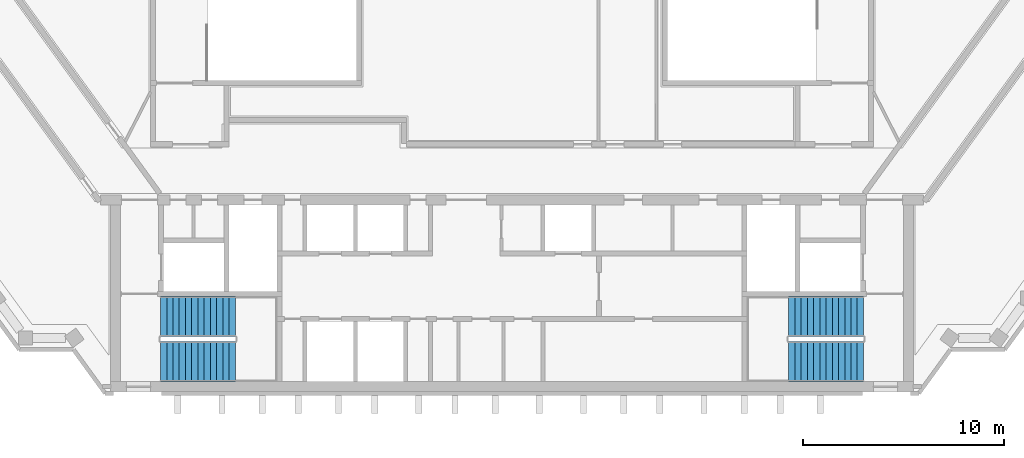
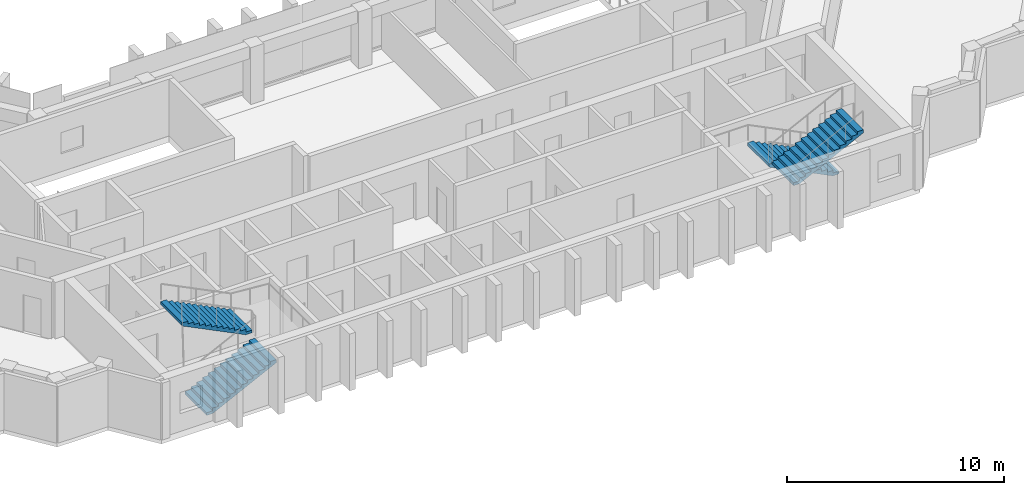
# One storey, part 7 of 8: 4 stair flights, 2 elements without a shape of their own.
"""IFC4 building model written with IfcOpenShell, lengths in metres."""

from ifc_helpers import new_model, si_unit, direction, frame, origin, place, context, subcontext, project, spatial, polyline, outline, extrude, material, type_object, element, aggregate, save


model = new_model("IFC4")

# Units and contexts
model_context = context("Model", 3, precision=1e-05, world=origin(), true_north=direction((0.0, 1.0)))
body_context = subcontext(model_context, "Body", "Model", "MODEL_VIEW")
ifc_project = project(units=[si_unit("LENGTHUNIT", "METRE"), si_unit("AREAUNIT", "SQUARE_METRE"), si_unit("VOLUMEUNIT", "CUBIC_METRE"), si_unit("PLANEANGLEUNIT", "RADIAN"), si_unit("MASSUNIT", "GRAM", prefix="KILO")], contexts=[model_context])

# Site, building, storey
site_placement = place(None, origin())
site = spatial("IfcSite", under=ifc_project, at=site_placement, CompositionType="ELEMENT")
building_placement = place(site_placement, origin())
building = spatial("IfcBuilding", under=site, at=building_placement, Name="Quipu Civic Tower", CompositionType="ELEMENT")
storey_placement = place(building_placement, frame((0.0, 0.0, 351.0)))
storey = spatial("IfcBuildingStorey", under=building, at=storey_placement, Name="L82", CompositionType="ELEMENT", Elevation=351.0)

# Stair, stair flights
ifc_material_1 = material(Name="Concrete C40/50", Category="concrete")
stair_type = type_object("IfcStairType", Name="Half turn stair 2000", PredefinedType="HALF_TURN_STAIR", material=ifc_material_1)
stair_1_placement = place(storey_placement, origin())
stair_1 = element("IfcStair", 1, at=stair_1_placement, inside=storey, type_object=stair_type, Name="Exit stair 1", PredefinedType="HALF_TURN_STAIR")
ifc_material_2 = material(Name="Concrete C40/50", Category="concrete")
stair_flight_type = type_object("IfcStairFlightType", Name="Stair flight 2000", PredefinedType="STRAIGHT", material=ifc_material_2)
stair_flight_1_placement = place(storey_placement, frame((-17.5, -9.5, 0.0), z_axis=(0.0, 0.0, 1.0), x_axis=(1.0, 0.0, 0.0)))
stair_flight_1 = element("IfcStairFlight", 2, at=stair_flight_1_placement, type_object=stair_flight_type, Name="ST-1 flight 1", NumberOfRisers=13, NumberOfTreads=12, PredefinedType="STRAIGHT", RiserHeight=0.153846154, TreadLength=0.31, context=body_context, shape_type="SweptSolid", body=[
    extrude(outline(polyline([(0.0, 0.0), (0.0, 0.15380859375), (0.31005859375, 0.15380859375), (0.31005859375, 0.3076171875), (0.6201171875, 0.3076171875), (0.6201171875, 0.46142578125), (0.929931640625, 0.46142578125), (0.929931640625, 0.615478515625), (1.239990234375, 0.615478515625), (1.239990234375, 0.769287109375), (1.550048828125, 0.769287109375), (1.550048828125, 0.923095703125), (1.860107421875, 0.923095703125), (1.860107421875, 1.076904296875), (2.169921875, 1.076904296875), (2.169921875, 1.230712890625), (2.47998046875, 1.230712890625), (2.47998046875, 1.384521484375), (2.7900390625, 1.384521484375), (2.7900390625, 1.53857421875), (3.10009765625, 1.53857421875), (3.10009765625, 1.6923828125), (3.409912109375, 1.6923828125), (3.409912109375, 1.84619140625), (3.719970703125, 1.84619140625), (3.719970703125, 2.0), (3.719970703125, 1.6787109375), (0.337158203125, 0.0), (0.0, 0.0)])), frame((0.0, 1.0, 0.0), z_axis=(0.0, -1.0, 0.0), x_axis=(1.0, 0.0, 0.0)), (0.0, 0.0, 1.0), 2.0),
])
stair_flight_2_placement = place(storey_placement, frame((-13.780029296875, -7.25, 2.0), z_axis=(0.0, 0.0, 1.0), x_axis=(-1.0, 0.0, 0.0)))
stair_flight_2 = element("IfcStairFlight", 3, at=stair_flight_2_placement, type_object=stair_flight_type, Name="ST-1 flight 2", NumberOfRisers=13, NumberOfTreads=12, PredefinedType="STRAIGHT", RiserHeight=0.153846154, TreadLength=0.31, context=body_context, shape_type="SweptSolid", body=[
    extrude(outline(polyline([(0.0, 0.0), (0.0, 0.15380859375), (0.31005859375, 0.15380859375), (0.31005859375, 0.3076171875), (0.6201171875, 0.3076171875), (0.6201171875, 0.46142578125), (0.929931640625, 0.46142578125), (0.929931640625, 0.615478515625), (1.239990234375, 0.615478515625), (1.239990234375, 0.769287109375), (1.550048828125, 0.769287109375), (1.550048828125, 0.923095703125), (1.860107421875, 0.923095703125), (1.860107421875, 1.076904296875), (2.169921875, 1.076904296875), (2.169921875, 1.230712890625), (2.47998046875, 1.230712890625), (2.47998046875, 1.384521484375), (2.7900390625, 1.384521484375), (2.7900390625, 1.53857421875), (3.10009765625, 1.53857421875), (3.10009765625, 1.6923828125), (3.409912109375, 1.6923828125), (3.409912109375, 1.84619140625), (3.719970703125, 1.84619140625), (3.719970703125, 2.0), (3.719970703125, 1.6787109375), (0.337158203125, 0.0), (0.0, 0.0)])), frame((0.0, 1.0, 0.0), z_axis=(0.0, -1.0, 0.0), x_axis=(1.0, 0.0, 0.0)), (0.0, 0.0, 1.0), 2.0),
])
aggregate(stair_1, [stair_flight_1, stair_flight_2])

stair_2_placement = place(storey_placement, origin())
stair_2 = element("IfcStair", 4, at=stair_2_placement, inside=storey, type_object=stair_type, Name="Exit stair 2", PredefinedType="HALF_TURN_STAIR")
stair_flight_3_placement = place(storey_placement, frame((17.5, -7.25, 0.0), z_axis=(0.0, 0.0, 1.0), x_axis=(-1.0, 0.0, 0.0)))
stair_flight_3 = element("IfcStairFlight", 5, at=stair_flight_3_placement, type_object=stair_flight_type, Name="ST-2 flight 1", NumberOfRisers=13, NumberOfTreads=12, PredefinedType="STRAIGHT", RiserHeight=0.153846154, TreadLength=0.31, context=body_context, shape_type="SweptSolid", body=[
    extrude(outline(polyline([(0.0, 0.0), (0.0, 0.15380859375), (0.31005859375, 0.15380859375), (0.31005859375, 0.3076171875), (0.6201171875, 0.3076171875), (0.6201171875, 0.46142578125), (0.929931640625, 0.46142578125), (0.929931640625, 0.615478515625), (1.239990234375, 0.615478515625), (1.239990234375, 0.769287109375), (1.550048828125, 0.769287109375), (1.550048828125, 0.923095703125), (1.860107421875, 0.923095703125), (1.860107421875, 1.076904296875), (2.169921875, 1.076904296875), (2.169921875, 1.230712890625), (2.47998046875, 1.230712890625), (2.47998046875, 1.384521484375), (2.7900390625, 1.384521484375), (2.7900390625, 1.53857421875), (3.10009765625, 1.53857421875), (3.10009765625, 1.6923828125), (3.409912109375, 1.6923828125), (3.409912109375, 1.84619140625), (3.719970703125, 1.84619140625), (3.719970703125, 2.0), (3.719970703125, 1.6787109375), (0.337158203125, 0.0), (0.0, 0.0)])), frame((0.0, 1.0, 0.0), z_axis=(0.0, -1.0, 0.0), x_axis=(1.0, 0.0, 0.0)), (0.0, 0.0, 1.0), 2.0),
])
stair_flight_4_placement = place(storey_placement, frame((13.780029296875, -9.5, 2.0), z_axis=(0.0, 0.0, 1.0), x_axis=(1.0, 0.0, 0.0)))
stair_flight_4 = element("IfcStairFlight", 6, at=stair_flight_4_placement, type_object=stair_flight_type, Name="ST-2 flight 2", NumberOfRisers=13, NumberOfTreads=12, PredefinedType="STRAIGHT", RiserHeight=0.153846154, TreadLength=0.31, context=body_context, shape_type="SweptSolid", body=[
    extrude(outline(polyline([(0.0, 0.0), (0.0, 0.15380859375), (0.31005859375, 0.15380859375), (0.31005859375, 0.3076171875), (0.6201171875, 0.3076171875), (0.6201171875, 0.46142578125), (0.929931640625, 0.46142578125), (0.929931640625, 0.615478515625), (1.239990234375, 0.615478515625), (1.239990234375, 0.769287109375), (1.550048828125, 0.769287109375), (1.550048828125, 0.923095703125), (1.860107421875, 0.923095703125), (1.860107421875, 1.076904296875), (2.169921875, 1.076904296875), (2.169921875, 1.230712890625), (2.47998046875, 1.230712890625), (2.47998046875, 1.384521484375), (2.7900390625, 1.384521484375), (2.7900390625, 1.53857421875), (3.10009765625, 1.53857421875), (3.10009765625, 1.6923828125), (3.409912109375, 1.6923828125), (3.409912109375, 1.84619140625), (3.719970703125, 1.84619140625), (3.719970703125, 2.0), (3.719970703125, 1.6787109375), (0.337158203125, 0.0), (0.0, 0.0)])), frame((0.0, 1.0, 0.0), z_axis=(0.0, -1.0, 0.0), x_axis=(1.0, 0.0, 0.0)), (0.0, 0.0, 1.0), 2.0),
])
aggregate(stair_2, [stair_flight_3, stair_flight_4])

save(model, "model.ifc")
